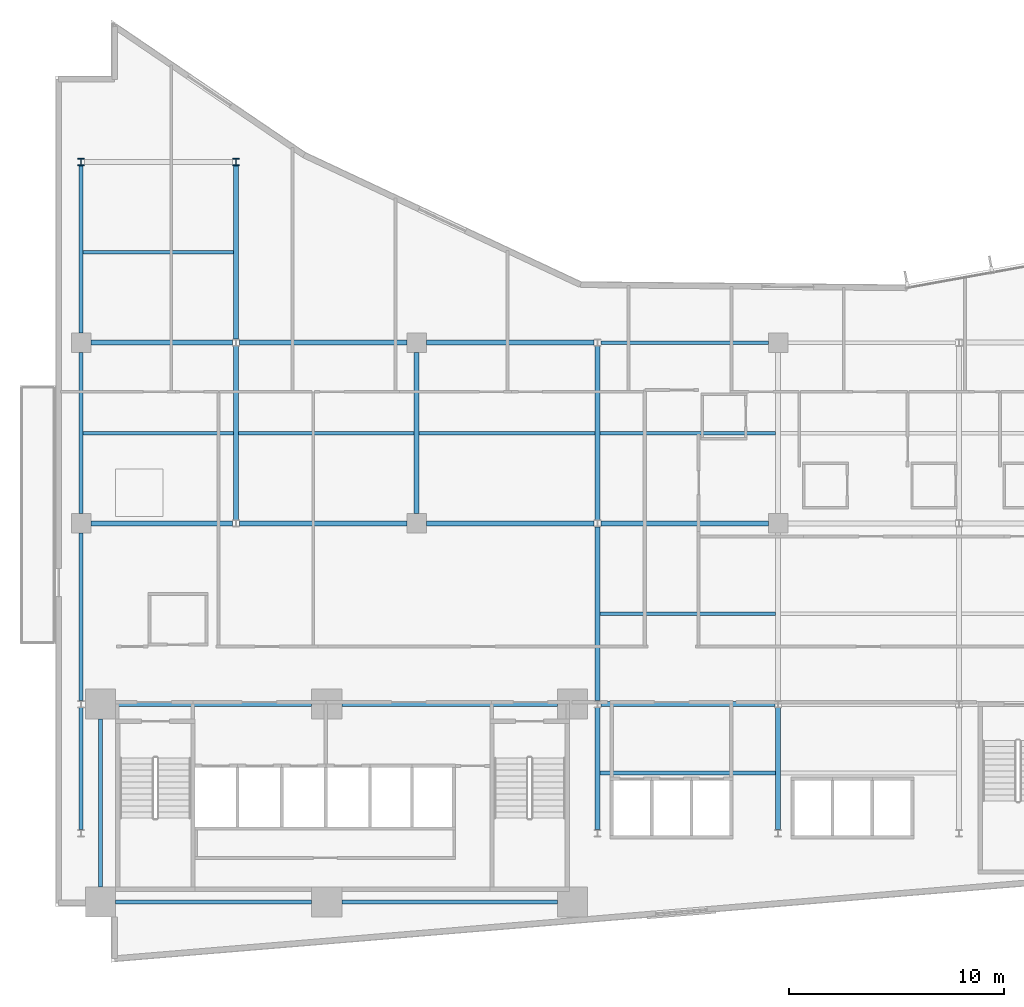
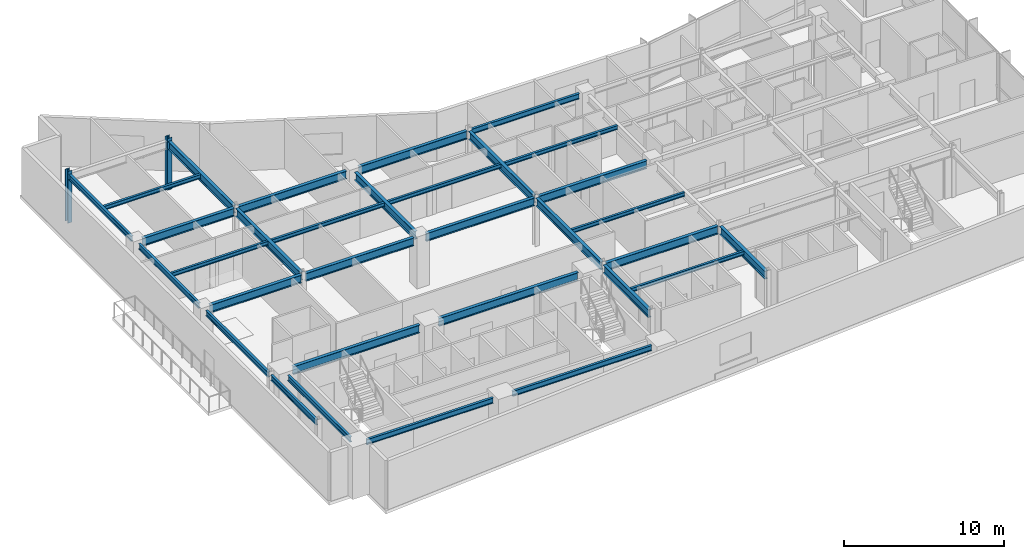
# One storey, part 3 of 22: 32 beams, 2 columns.
"""IFC4 building model written with IfcOpenShell, lengths in metres."""

from ifc_helpers import new_model, si_unit, direction, frame, origin, origin_2d, place, context, subcontext, project, spatial, i_section, extrude, material, material_profile, profile_set, type_object, element, save


model = new_model("IFC4")

# Units and contexts
model_context = context("Model", 3, precision=1e-05, world=origin(), true_north=direction((0.0, 1.0)))
body_context = subcontext(model_context, "Body", "Model", "MODEL_VIEW")
ifc_project = project(units=[si_unit("LENGTHUNIT", "METRE"), si_unit("AREAUNIT", "SQUARE_METRE"), si_unit("VOLUMEUNIT", "CUBIC_METRE"), si_unit("PLANEANGLEUNIT", "RADIAN"), si_unit("MASSUNIT", "GRAM", prefix="KILO")], contexts=[model_context])

# Site, building, storey
site_placement = place(None, origin())
site = spatial("IfcSite", under=ifc_project, at=site_placement, CompositionType="ELEMENT")
building_placement = place(site_placement, origin())
building = spatial("IfcBuilding", under=site, at=building_placement, Name="Varnakote Quay Hospital", CompositionType="ELEMENT")
storey_placement = place(building_placement, frame((0.0, 0.0, 65.949951171875)))
storey = spatial("IfcBuildingStorey", under=building, at=storey_placement, Name="L16", CompositionType="ELEMENT", Elevation=65.949951171875)

# Columns
ifc_material_1 = material(Name="Structural steel AS/NZS 3679.1 Grade 350 L0 (fy 340 MPa)", Category="steel")
ifc_material_profile_1 = material_profile(ifc_material_1, i_section(OverallWidth=0.31103515625, OverallDepth=0.326904296875, WebThickness=0.015625, FlangeThickness=0.02490234375, FilletRadius=0.0166015625, at=origin_2d()), Name="310UC158")
ifc_profile_set_1 = profile_set([ifc_material_profile_1], Name="Structural steel AS/NZS 3679.1 Grade 350 L0 (fy 340 MPa)")
column_type = type_object("IfcColumnType", Name="COL-STL-310UC158", PredefinedType="COLUMN", material=ifc_profile_set_1)
for number, where, z_axis, x_axis, name in (
    (1, (1.199951171875, 37.199951171875, 0.0), (0.0, 0.0, 1.0), (1.0, 0.0, 0.0), "L16 Structural Column C-1-37"),
    (2, (8.39990234375, 37.199951171875, 0.0), (0.0, 0.0, 1.0), (1.0, 0.0, 0.0), "L16 Structural Column C-8-37"),
):
    element("IfcColumn", number, at=place(storey_placement, frame(where, z_axis=z_axis, x_axis=x_axis)), inside=storey, type_object=column_type, Name=name, PredefinedType="COLUMN", context=body_context, shape_type="SweptSolid", body=[
        extrude(i_section(OverallWidth=0.31103515625, OverallDepth=0.326904296875, WebThickness=0.015625, FlangeThickness=0.02490234375, FilletRadius=0.0166015625, at=origin_2d()), origin(), (0.0, 0.0, 1.0), 3.949951171875),
    ])

# Beams
ifc_material_2 = material(Name="Structural steel AS/NZS 3679.1 Grade 350 L0 (fy 340 MPa)", Category="steel")
ifc_material_profile_2 = material_profile(ifc_material_2, i_section(OverallWidth=0.22900390625, OverallDepth=0.612060546875, WebThickness=0.011962890625, FlangeThickness=0.01953125, FilletRadius=0.013916015625, at=origin_2d()), Name="610UB125")
ifc_profile_set_2 = profile_set([ifc_material_profile_2], Name="Structural steel AS/NZS 3679.1 Grade 350 L0 (fy 340 MPa)")
beam_type_1 = type_object("IfcBeamType", Name="BM-STL-610UB125", PredefinedType="BEAM", material=ifc_profile_set_2)
beam_1_placement = place(storey_placement, frame((2.800048828125, 12.0, 3.404052734375), z_axis=(1.0, 0.0, 0.0), x_axis=(0.0, 1.0, 0.0)))
element("IfcBeam", 3, at=beam_1_placement, inside=storey, type_object=beam_type_1, Name="L16 Primary Floor Beam", PredefinedType="BEAM", context=body_context, shape_type="SweptSolid", body=[
    extrude(i_section(OverallWidth=0.22900390625, OverallDepth=0.612060546875, WebThickness=0.011962890625, FlangeThickness=0.01953125, FilletRadius=0.013916015625, at=origin_2d()), origin(), (0.0, 0.0, 1.0), 9.119873046875),
])
beam_2_placement = place(storey_placement, frame((13.320068359375, 12.0, 3.404052734375), z_axis=(1.0, 0.0, 0.0), x_axis=(0.0, 1.0, 0.0)))
element("IfcBeam", 4, at=beam_2_placement, inside=storey, type_object=beam_type_1, Name="L16 Primary Floor Beam", PredefinedType="BEAM", context=body_context, shape_type="SweptSolid", body=[
    extrude(i_section(OverallWidth=0.22900390625, OverallDepth=0.612060546875, WebThickness=0.011962890625, FlangeThickness=0.01953125, FilletRadius=0.013916015625, at=origin_2d()), origin(), (0.0, 0.0, 1.0), 10.030029296875),
])
beam_3_placement = place(storey_placement, frame((25.35546875, 12.0, 3.404052734375), z_axis=(1.0, 0.0, 0.0), x_axis=(0.0, 1.0, 0.0)))
element("IfcBeam", 5, at=beam_3_placement, inside=storey, type_object=beam_type_1, Name="L16 Primary Floor Beam", PredefinedType="BEAM", context=body_context, shape_type="SweptSolid", body=[
    extrude(i_section(OverallWidth=0.22900390625, OverallDepth=0.612060546875, WebThickness=0.011962890625, FlangeThickness=0.01953125, FilletRadius=0.013916015625, at=origin_2d()), origin(), (0.0, 0.0, 1.0), 8.089111328125),
])
beam_4_placement = place(storey_placement, frame((1.64990234375, 20.39990234375, 3.404052734375), z_axis=(1.0, 0.0, 0.0), x_axis=(0.0, 1.0, 0.0)))
element("IfcBeam", 6, at=beam_4_placement, inside=storey, type_object=beam_type_1, Name="L16 Primary Floor Beam", PredefinedType="BEAM", context=body_context, shape_type="SweptSolid", body=[
    extrude(i_section(OverallWidth=0.22900390625, OverallDepth=0.612060546875, WebThickness=0.011962890625, FlangeThickness=0.01953125, FilletRadius=0.013916015625, at=origin_2d()), origin(), (0.0, 0.0, 1.0), 6.594482421875),
])
beam_5_placement = place(storey_placement, frame((8.555419921875, 20.39990234375, 3.404052734375), z_axis=(1.0, 0.0, 0.0), x_axis=(0.0, 1.0, 0.0)))
element("IfcBeam", 7, at=beam_5_placement, inside=storey, type_object=beam_type_1, Name="L16 Primary Floor Beam", PredefinedType="BEAM", context=body_context, shape_type="SweptSolid", body=[
    extrude(i_section(OverallWidth=0.22900390625, OverallDepth=0.612060546875, WebThickness=0.011962890625, FlangeThickness=0.01953125, FilletRadius=0.013916015625, at=origin_2d()), origin(), (0.0, 0.0, 1.0), 7.794677734375),
])
for number, where, z_axis, x_axis, name in (
    (8, (17.25, 20.39990234375, 3.404052734375), (1.0, 0.0, 0.0), (0.0, 1.0, 0.0), "L16 Primary Floor Beam"),
    (9, (25.35546875, 20.39990234375, 3.404052734375), (1.0, 0.0, 0.0), (0.0, 1.0, 0.0), "L16 Primary Floor Beam"),
):
    element("IfcBeam", number, at=place(storey_placement, frame(where, z_axis=z_axis, x_axis=x_axis)), inside=storey, type_object=beam_type_1, Name=name, PredefinedType="BEAM", context=body_context, shape_type="SweptSolid", body=[
        extrude(i_section(OverallWidth=0.22900390625, OverallDepth=0.612060546875, WebThickness=0.011962890625, FlangeThickness=0.01953125, FilletRadius=0.013916015625, at=origin_2d()), origin(), (0.0, 0.0, 1.0), 7.79443359375),
    ])
beam_6_placement = place(storey_placement, frame((1.64990234375, 28.800048828125, 3.404052734375), z_axis=(1.0, 0.0, 0.0), x_axis=(0.0, 1.0, 0.0)))
element("IfcBeam", 10, at=beam_6_placement, inside=storey, type_object=beam_type_1, Name="L16 Primary Floor Beam", PredefinedType="BEAM", context=body_context, shape_type="SweptSolid", body=[
    extrude(i_section(OverallWidth=0.22900390625, OverallDepth=0.612060546875, WebThickness=0.011962890625, FlangeThickness=0.01953125, FilletRadius=0.013916015625, at=origin_2d()), origin(), (0.0, 0.0, 1.0), 6.594482421875),
])
beam_7_placement = place(storey_placement, frame((8.555419921875, 28.800048828125, 3.404052734375), z_axis=(1.0, 0.0, 0.0), x_axis=(0.0, 1.0, 0.0)))
element("IfcBeam", 11, at=beam_7_placement, inside=storey, type_object=beam_type_1, Name="L16 Primary Floor Beam", PredefinedType="BEAM", context=body_context, shape_type="SweptSolid", body=[
    extrude(i_section(OverallWidth=0.22900390625, OverallDepth=0.612060546875, WebThickness=0.011962890625, FlangeThickness=0.01953125, FilletRadius=0.013916015625, at=origin_2d()), origin(), (0.0, 0.0, 1.0), 7.794677734375),
])
beam_8_placement = place(storey_placement, frame((17.25, 28.800048828125, 3.404052734375), z_axis=(1.0, 0.0, 0.0), x_axis=(0.0, 1.0, 0.0)))
element("IfcBeam", 12, at=beam_8_placement, inside=storey, type_object=beam_type_1, Name="L16 Primary Floor Beam", PredefinedType="BEAM", context=body_context, shape_type="SweptSolid", body=[
    extrude(i_section(OverallWidth=0.22900390625, OverallDepth=0.612060546875, WebThickness=0.011962890625, FlangeThickness=0.01953125, FilletRadius=0.013916015625, at=origin_2d()), origin(), (0.0, 0.0, 1.0), 7.79443359375),
])
beam_9_placement = place(storey_placement, frame((8.39990234375, 20.5634765625, 3.404052734375), z_axis=(0.0, 1.0, 0.0), x_axis=(-1.0, 0.0, 0.0)))
element("IfcBeam", 13, at=beam_9_placement, inside=storey, type_object=beam_type_1, Name="L16 Primary Tie Beam", PredefinedType="BEAM", context=body_context, shape_type="SweptSolid", body=[
    extrude(i_section(OverallWidth=0.22900390625, OverallDepth=0.612060546875, WebThickness=0.011962890625, FlangeThickness=0.01953125, FilletRadius=0.013916015625, at=origin_2d()), origin(), (0.0, 0.0, 1.0), 8.072998046875),
])
beam_10_placement = place(storey_placement, frame((8.39990234375, 28.96337890625, 3.404052734375), z_axis=(0.0, 1.0, 0.0), x_axis=(-1.0, 0.0, 0.0)))
element("IfcBeam", 14, at=beam_10_placement, inside=storey, type_object=beam_type_1, Name="L16 Primary Tie Beam", PredefinedType="BEAM", context=body_context, shape_type="SweptSolid", body=[
    extrude(i_section(OverallWidth=0.22900390625, OverallDepth=0.612060546875, WebThickness=0.011962890625, FlangeThickness=0.01953125, FilletRadius=0.013916015625, at=origin_2d()), origin(), (0.0, 0.0, 1.0), 8.0732421875),
])
beam_11_placement = place(storey_placement, frame((16.800048828125, 20.85009765625, 3.404052734375), z_axis=(0.0, 1.0, 0.0), x_axis=(-1.0, 0.0, 0.0)))
element("IfcBeam", 15, at=beam_11_placement, inside=storey, type_object=beam_type_1, Name="L16 Primary Tie Beam", PredefinedType="BEAM", context=body_context, shape_type="SweptSolid", body=[
    extrude(i_section(OverallWidth=0.22900390625, OverallDepth=0.612060546875, WebThickness=0.011962890625, FlangeThickness=0.01953125, FilletRadius=0.013916015625, at=origin_2d()), origin(), (0.0, 0.0, 1.0), 7.5),
])
beam_12_placement = place(storey_placement, frame((25.199951171875, 6.16357421875, 3.404052734375), z_axis=(0.0, 1.0, 0.0), x_axis=(-1.0, 0.0, 0.0)))
element("IfcBeam", 16, at=beam_12_placement, inside=storey, type_object=beam_type_1, Name="L16 Primary Tie Beam", PredefinedType="BEAM", context=body_context, shape_type="SweptSolid", body=[
    extrude(i_section(OverallWidth=0.22900390625, OverallDepth=0.612060546875, WebThickness=0.011962890625, FlangeThickness=0.01953125, FilletRadius=0.013916015625, at=origin_2d()), origin(), (0.0, 0.0, 1.0), 5.6728515625),
])
for number, where, z_axis, x_axis, name in (
    (17, (25.199951171875, 12.16357421875, 3.404052734375), (0.0, 1.0, 0.0), (-1.0, 0.0, 0.0), "L16 Primary Tie Beam"),
    (18, (25.199951171875, 20.5634765625, 3.404052734375), (0.0, 1.0, 0.0), (-1.0, 0.0, 0.0), "L16 Primary Tie Beam"),
):
    element("IfcBeam", number, at=place(storey_placement, frame(where, z_axis=z_axis, x_axis=x_axis)), inside=storey, type_object=beam_type_1, Name=name, PredefinedType="BEAM", context=body_context, shape_type="SweptSolid", body=[
        extrude(i_section(OverallWidth=0.22900390625, OverallDepth=0.612060546875, WebThickness=0.011962890625, FlangeThickness=0.01953125, FilletRadius=0.013916015625, at=origin_2d()), origin(), (0.0, 0.0, 1.0), 8.072998046875),
    ])
beam_13_placement = place(storey_placement, frame((33.60009765625, 6.16357421875, 3.404052734375), z_axis=(0.0, 1.0, 0.0), x_axis=(-1.0, 0.0, 0.0)))
element("IfcBeam", 19, at=beam_13_placement, inside=storey, type_object=beam_type_1, Name="L16 Primary Tie Beam", PredefinedType="BEAM", context=body_context, shape_type="SweptSolid", body=[
    extrude(i_section(OverallWidth=0.22900390625, OverallDepth=0.612060546875, WebThickness=0.011962890625, FlangeThickness=0.01953125, FilletRadius=0.013916015625, at=origin_2d()), origin(), (0.0, 0.0, 1.0), 5.6728515625),
])
ifc_material_3 = material(Name="Structural steel AS/NZS 3679.1 Grade 350 L0 (fy 340 MPa)", Category="steel")
ifc_material_profile_3 = material_profile(ifc_material_3, i_section(OverallWidth=0.166015625, OverallDepth=0.306884765625, WebThickness=0.006591796875, FlangeThickness=0.01171875, FilletRadius=0.011474609375, at=origin_2d()), Name="310UB46.2")
ifc_profile_set_3 = profile_set([ifc_material_profile_3], Name="Structural steel AS/NZS 3679.1 Grade 350 L0 (fy 340 MPa)")
beam_type_2 = type_object("IfcBeamType", Name="JST-STL-310UB46-2", PredefinedType="JOIST", material=ifc_profile_set_3)
for number, where, z_axis, x_axis, name in (
    (20, (25.314453125, 8.800048828125, 3.556640625), (1.0, 0.0, 0.0), (0.0, 1.0, 0.0), "L16 Composite Floor Joist"),
    (21, (25.314453125, 16.199951171875, 3.556640625), (1.0, 0.0, 0.0), (0.0, 1.0, 0.0), "L16 Composite Floor Joist"),
):
    element("IfcBeam", number, at=place(storey_placement, frame(where, z_axis=z_axis, x_axis=x_axis)), inside=storey, type_object=beam_type_2, Name=name, PredefinedType="JOIST", context=body_context, shape_type="SweptSolid", body=[
        extrude(i_section(OverallWidth=0.166015625, OverallDepth=0.306884765625, WebThickness=0.006591796875, FlangeThickness=0.01171875, FilletRadius=0.011474609375, at=origin_2d()), origin(), (0.0, 0.0, 1.0), 8.171142578125),
    ])
beam_14_placement = place(storey_placement, frame((1.2890625, 24.60009765625, 3.556640625), z_axis=(1.0, 0.0, 0.0), x_axis=(0.0, 1.0, 0.0)))
element("IfcBeam", 22, at=beam_14_placement, inside=storey, type_object=beam_type_2, Name="L16 Composite Floor Joist", PredefinedType="JOIST", context=body_context, shape_type="SweptSolid", body=[
    extrude(i_section(OverallWidth=0.166015625, OverallDepth=0.306884765625, WebThickness=0.006591796875, FlangeThickness=0.01171875, FilletRadius=0.011474609375, at=origin_2d()), origin(), (0.0, 0.0, 1.0), 6.996337890625),
])
beam_15_placement = place(storey_placement, frame((8.514404296875, 24.60009765625, 3.556640625), z_axis=(1.0, 0.0, 0.0), x_axis=(0.0, 1.0, 0.0)))
element("IfcBeam", 23, at=beam_15_placement, inside=storey, type_object=beam_type_2, Name="L16 Composite Floor Joist", PredefinedType="JOIST", context=body_context, shape_type="SweptSolid", body=[
    extrude(i_section(OverallWidth=0.166015625, OverallDepth=0.306884765625, WebThickness=0.006591796875, FlangeThickness=0.01171875, FilletRadius=0.011474609375, at=origin_2d()), origin(), (0.0, 0.0, 1.0), 8.171142578125),
])
beam_16_placement = place(storey_placement, frame((16.91455078125, 24.60009765625, 3.556640625), z_axis=(1.0, 0.0, 0.0), x_axis=(0.0, 1.0, 0.0)))
element("IfcBeam", 24, at=beam_16_placement, inside=storey, type_object=beam_type_2, Name="L16 Composite Floor Joist", PredefinedType="JOIST", context=body_context, shape_type="SweptSolid", body=[
    extrude(i_section(OverallWidth=0.166015625, OverallDepth=0.306884765625, WebThickness=0.006591796875, FlangeThickness=0.01171875, FilletRadius=0.011474609375, at=origin_2d()), origin(), (0.0, 0.0, 1.0), 8.1708984375),
])
beam_17_placement = place(storey_placement, frame((25.314453125, 24.60009765625, 3.556640625), z_axis=(1.0, 0.0, 0.0), x_axis=(0.0, 1.0, 0.0)))
element("IfcBeam", 25, at=beam_17_placement, inside=storey, type_object=beam_type_2, Name="L16 Composite Floor Joist", PredefinedType="JOIST", context=body_context, shape_type="SweptSolid", body=[
    extrude(i_section(OverallWidth=0.166015625, OverallDepth=0.306884765625, WebThickness=0.006591796875, FlangeThickness=0.01171875, FilletRadius=0.011474609375, at=origin_2d()), origin(), (0.0, 0.0, 1.0), 8.171142578125),
])
beam_18_placement = place(storey_placement, frame((1.2890625, 33.0, 3.556640625), z_axis=(1.0, 0.0, 0.0), x_axis=(0.0, 1.0, 0.0)))
element("IfcBeam", 26, at=beam_18_placement, inside=storey, type_object=beam_type_2, Name="L16 Composite Floor Joist", PredefinedType="JOIST", context=body_context, shape_type="SweptSolid", body=[
    extrude(i_section(OverallWidth=0.166015625, OverallDepth=0.306884765625, WebThickness=0.006591796875, FlangeThickness=0.01171875, FilletRadius=0.011474609375, at=origin_2d()), origin(), (0.0, 0.0, 1.0), 6.996337890625),
])
ifc_material_4 = material(Name="Structural steel AS/NZS 3679.1 Grade 350 L0 (fy 340 MPa)", Category="steel")
ifc_material_profile_4 = material_profile(ifc_material_4, i_section(OverallWidth=0.177978515625, OverallDepth=0.403076171875, WebThickness=0.007568359375, FlangeThickness=0.010986328125, FilletRadius=0.011474609375, at=origin_2d()), Name="410UB53.7")
ifc_profile_set_4 = profile_set([ifc_material_profile_4], Name="Structural steel AS/NZS 3679.1 Grade 350 L0 (fy 340 MPa)")
beam_type_3 = type_object("IfcBeamType", Name="SPN-STL-410UB53-7", PredefinedType="SPANDREL", material=ifc_profile_set_4)
beam_19_placement = place(storey_placement, frame((1.199951171875, 6.16357421875, 3.508544921875), z_axis=(0.0, 1.0, 0.0), x_axis=(-1.0, 0.0, 0.0)))
element("IfcBeam", 27, at=beam_19_placement, inside=storey, type_object=beam_type_3, Name="L16 Perimeter Spandrel Beam", PredefinedType="SPANDREL", context=body_context, shape_type="SweptSolid", body=[
    extrude(i_section(OverallWidth=0.177978515625, OverallDepth=0.403076171875, WebThickness=0.007568359375, FlangeThickness=0.010986328125, FilletRadius=0.011474609375, at=origin_2d()), origin(), (0.0, 0.0, 1.0), 5.6728515625),
])
beam_20_placement = place(storey_placement, frame((1.199951171875, 12.16357421875, 3.508544921875), z_axis=(0.0, 1.0, 0.0), x_axis=(-1.0, 0.0, 0.0)))
element("IfcBeam", 28, at=beam_20_placement, inside=storey, type_object=beam_type_3, Name="L16 Perimeter Spandrel Beam", PredefinedType="SPANDREL", context=body_context, shape_type="SweptSolid", body=[
    extrude(i_section(OverallWidth=0.177978515625, OverallDepth=0.403076171875, WebThickness=0.007568359375, FlangeThickness=0.010986328125, FilletRadius=0.011474609375, at=origin_2d()), origin(), (0.0, 0.0, 1.0), 7.786376953125),
])
beam_21_placement = place(storey_placement, frame((1.199951171875, 20.85009765625, 3.508544921875), z_axis=(0.0, 1.0, 0.0), x_axis=(-1.0, 0.0, 0.0)))
element("IfcBeam", 29, at=beam_21_placement, inside=storey, type_object=beam_type_3, Name="L16 Perimeter Spandrel Beam", PredefinedType="SPANDREL", context=body_context, shape_type="SweptSolid", body=[
    extrude(i_section(OverallWidth=0.177978515625, OverallDepth=0.403076171875, WebThickness=0.007568359375, FlangeThickness=0.010986328125, FilletRadius=0.011474609375, at=origin_2d()), origin(), (0.0, 0.0, 1.0), 7.5),
])
beam_22_placement = place(storey_placement, frame((1.199951171875, 29.25, 3.508544921875), z_axis=(0.0, 1.0, 0.0), x_axis=(-1.0, 0.0, 0.0)))
element("IfcBeam", 30, at=beam_22_placement, inside=storey, type_object=beam_type_3, Name="L16 Perimeter Spandrel Beam", PredefinedType="SPANDREL", context=body_context, shape_type="SweptSolid", body=[
    extrude(i_section(OverallWidth=0.177978515625, OverallDepth=0.403076171875, WebThickness=0.007568359375, FlangeThickness=0.010986328125, FilletRadius=0.011474609375, at=origin_2d()), origin(), (0.0, 0.0, 1.0), 7.78662109375),
])
beam_23_placement = place(storey_placement, frame((2.10009765625, 3.5, 3.508544921875), z_axis=(0.0, 1.0, 0.0), x_axis=(-1.0, 0.0, 0.0)))
element("IfcBeam", 31, at=beam_23_placement, inside=storey, type_object=beam_type_3, Name="L16 Perimeter Spandrel Beam", PredefinedType="SPANDREL", context=body_context, shape_type="SweptSolid", body=[
    extrude(i_section(OverallWidth=0.177978515625, OverallDepth=0.403076171875, WebThickness=0.007568359375, FlangeThickness=0.010986328125, FilletRadius=0.011474609375, at=origin_2d()), origin(), (0.0, 0.0, 1.0), 7.800048828125),
])
ifc_material_5 = material(Name="Structural steel AS/NZS 3679.1 Grade 350 L0 (fy 340 MPa)", Category="steel")
ifc_material_profile_5 = material_profile(ifc_material_5, i_section(OverallWidth=0.177978515625, OverallDepth=0.406005859375, WebThickness=0.0078125, FlangeThickness=0.0126953125, FilletRadius=0.011474609375, at=origin_2d()), Name="410UB59.7")
ifc_profile_set_5 = profile_set([ifc_material_profile_5], Name="Structural steel AS/NZS 3679.1 Grade 350 L0 (fy 340 MPa)")
beam_type_4 = type_object("IfcBeamType", Name="SPN-STL-410UB59-7", PredefinedType="SPANDREL", material=ifc_profile_set_5)
beam_24_placement = place(storey_placement, frame((2.800048828125, 2.800048828125, 3.507080078125), z_axis=(1.0, 0.0, 0.0), x_axis=(0.0, 1.0, 0.0)))
element("IfcBeam", 32, at=beam_24_placement, inside=storey, type_object=beam_type_4, Name="L16 Perimeter Spandrel Beam", PredefinedType="SPANDREL", context=body_context, shape_type="SweptSolid", body=[
    extrude(i_section(OverallWidth=0.177978515625, OverallDepth=0.406005859375, WebThickness=0.0078125, FlangeThickness=0.0126953125, FilletRadius=0.011474609375, at=origin_2d()), origin(), (0.0, 0.0, 1.0), 9.119873046875),
])
beam_25_placement = place(storey_placement, frame((13.320068359375, 2.800048828125, 3.507080078125), z_axis=(1.0, 0.0, 0.0), x_axis=(0.0, 1.0, 0.0)))
element("IfcBeam", 33, at=beam_25_placement, inside=storey, type_object=beam_type_4, Name="L16 Perimeter Spandrel Beam", PredefinedType="SPANDREL", context=body_context, shape_type="SweptSolid", body=[
    extrude(i_section(OverallWidth=0.177978515625, OverallDepth=0.406005859375, WebThickness=0.0078125, FlangeThickness=0.0126953125, FilletRadius=0.011474609375, at=origin_2d()), origin(), (0.0, 0.0, 1.0), 10.030029296875),
])
beam_26_placement = place(storey_placement, frame((25.35546875, 28.800048828125, 3.507080078125), z_axis=(1.0, 0.0, 0.0), x_axis=(0.0, 1.0, 0.0)))
element("IfcBeam", 34, at=beam_26_placement, inside=storey, type_object=beam_type_4, Name="L16 Perimeter Spandrel Beam", PredefinedType="SPANDREL", context=body_context, shape_type="SweptSolid", body=[
    extrude(i_section(OverallWidth=0.177978515625, OverallDepth=0.406005859375, WebThickness=0.0078125, FlangeThickness=0.0126953125, FilletRadius=0.011474609375, at=origin_2d()), origin(), (0.0, 0.0, 1.0), 7.79443359375),
])

save(model, "model.ifc")
